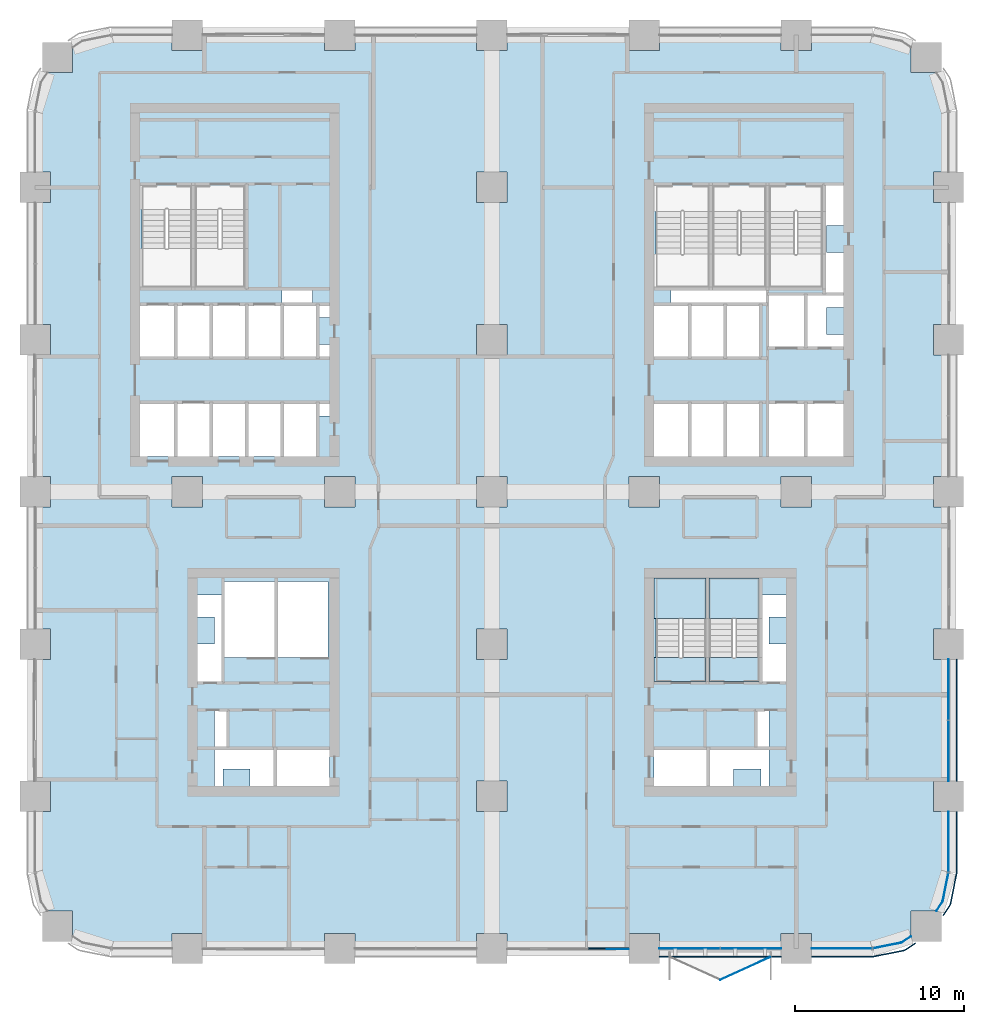
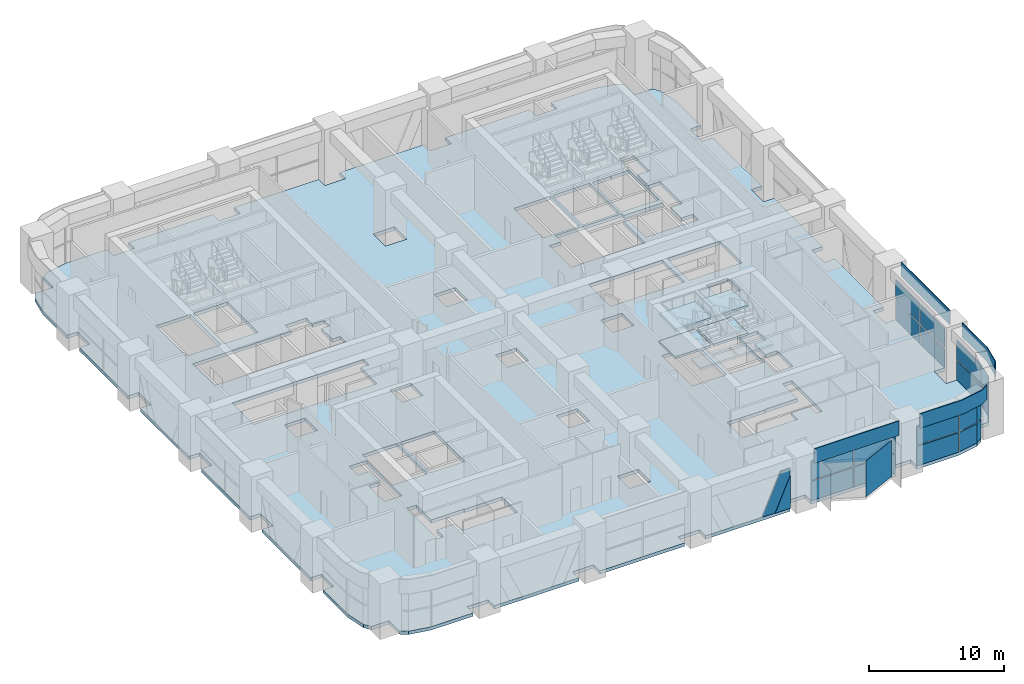
# One storey, part 12 of 26: 23 plates, 7 slabs, 7 elements without a shape of their own.
"""IFC4 building model written with IfcOpenShell, lengths in metres."""

from ifc_helpers import new_model, si_unit, direction, frame, origin, origin_2d, place, context, subcontext, project, spatial, polyline, rectangle, outline, extrude, material, layer, layer_set, type_object, element, aggregate, save


model = new_model("IFC4")

# Units and contexts
model_context = context("Model", 3, precision=1e-05, world=origin(), true_north=direction((0.0, 1.0)))
body_context = subcontext(model_context, "Body", "Model", "MODEL_VIEW")
ifc_project = project(units=[si_unit("LENGTHUNIT", "METRE"), si_unit("AREAUNIT", "SQUARE_METRE"), si_unit("VOLUMEUNIT", "CUBIC_METRE"), si_unit("PLANEANGLEUNIT", "RADIAN"), si_unit("MASSUNIT", "GRAM", prefix="KILO")], contexts=[model_context])

# Site, building, storey
site_placement = place(None, origin())
site = spatial("IfcSite", under=ifc_project, at=site_placement, CompositionType="ELEMENT")
building_placement = place(site_placement, origin())
building = spatial("IfcBuilding", under=site, at=building_placement, Name="Tessera Arch", CompositionType="ELEMENT")
storey_placement = place(building_placement, frame((0.0, 0.0, 72.800048828125)))
storey = spatial("IfcBuildingStorey", under=building, at=storey_placement, Name="L16", CompositionType="ELEMENT", Elevation=72.800048828125)

# Curtain wall, plates
ifc_material_1 = material(Name="CW1 curtain wall")
curtain_wall_type_1 = type_object("IfcCurtainWallType", Name="CW1 curtain wall", PredefinedType="NOTDEFINED", material=ifc_material_1)
curtain_wall_1_placement = place(storey_placement, origin())
curtain_wall_1 = element("IfcCurtainWall", 1, at=curtain_wall_1_placement, inside=storey, type_object=curtain_wall_type_1, Name="CW1 curtain wall S0.0/3 L16", PredefinedType="NOTDEFINED")
ifc_material_2 = material(Name="Clear low-e glass", Category="glass")
ifc_material_3 = material(Name="Clear low-e glass", Category="glass")
ifc_layer_1 = layer(ifc_material_3, 0.028076171875)
ifc_layer_set_1 = layer_set([ifc_layer_1], Name="CW1 glass panel")
plate_type_1 = type_object("IfcPlateType", Name="CW1 glass panel", PredefinedType="CURTAIN_PANEL", material=ifc_layer_set_1)
plate_1_placement = place(storey_placement, frame((38.68505859375, 0.0, 0.0), z_axis=(0.0, 0.0, 1.0), x_axis=(1.0, 0.0, 0.0)))
plate_1 = element("IfcPlate", 2, at=plate_1_placement, type_object=plate_type_1, material=ifc_material_2, Name="CW1 glass panel S0.0/3 1.1.1", PredefinedType="CURTAIN_PANEL", context=body_context, shape_type="SweptSolid", body=[
    extrude(rectangle(XDim=3.570068359375, YDim=0.028076171875, at=origin_2d()), origin(), (0.0, 0.0, 1.0), 1.75),
])
plate_2_placement = place(storey_placement, frame((38.68505859375, 0.0, 1.849853515625), z_axis=(0.0, 0.0, 1.0), x_axis=(1.0, 0.0, 0.0)))
plate_2 = element("IfcPlate", 3, at=plate_2_placement, type_object=plate_type_1, material=ifc_material_2, Name="CW1 glass panel S0.0/3 1.1.2", PredefinedType="CURTAIN_PANEL", context=body_context, shape_type="SweptSolid", body=[
    extrude(rectangle(XDim=3.570068359375, YDim=0.028076171875, at=origin_2d()), origin(), (0.0, 0.0, 1.0), 1.75),
])
plate_3_placement = place(storey_placement, frame((42.31494140625, 0.0, 0.0), z_axis=(0.0, 0.0, 1.0), x_axis=(1.0, 0.0, 0.0)))
plate_3 = element("IfcPlate", 4, at=plate_3_placement, type_object=plate_type_1, material=ifc_material_2, Name="CW1 glass panel S0.0/3 1.2.1", PredefinedType="CURTAIN_PANEL", context=body_context, shape_type="SweptSolid", body=[
    extrude(rectangle(XDim=3.570068359375, YDim=0.028076171875, at=origin_2d()), origin(), (0.0, 0.0, 1.0), 1.75),
])
plate_4_placement = place(storey_placement, frame((42.31494140625, 0.0, 1.849853515625), z_axis=(0.0, 0.0, 1.0), x_axis=(1.0, 0.0, 0.0)))
plate_4 = element("IfcPlate", 5, at=plate_4_placement, type_object=plate_type_1, material=ifc_material_2, Name="CW1 glass panel S0.0/3 1.2.2", PredefinedType="CURTAIN_PANEL", context=body_context, shape_type="SweptSolid", body=[
    extrude(rectangle(XDim=3.570068359375, YDim=0.028076171875, at=origin_2d()), origin(), (0.0, 0.0, 1.0), 1.75),
])

curtain_wall_2_placement = place(storey_placement, origin())
curtain_wall_2 = element("IfcCurtainWall", 6, at=curtain_wall_2_placement, inside=storey, type_object=curtain_wall_type_1, Name="CW1 curtain wall E54.0/1 L16", PredefinedType="NOTDEFINED")
plate_5_placement = place(storey_placement, frame((54.0, 11.68505859375, 0.0), z_axis=(0.0, 0.0, 1.0), x_axis=(0.0, 1.0, 0.0)))
plate_5 = element("IfcPlate", 7, at=plate_5_placement, type_object=plate_type_1, material=ifc_material_2, Name="CW1 glass panel E54.0/1 1.1.1", PredefinedType="CURTAIN_PANEL", context=body_context, shape_type="SweptSolid", body=[
    extrude(rectangle(XDim=3.570068359375, YDim=0.028076171875, at=origin_2d()), origin(), (0.0, 0.0, 1.0), 1.75),
])
plate_6_placement = place(storey_placement, frame((54.0, 11.68505859375, 1.849853515625), z_axis=(0.0, 0.0, 1.0), x_axis=(0.0, 1.0, 0.0)))
plate_6 = element("IfcPlate", 8, at=plate_6_placement, type_object=plate_type_1, material=ifc_material_2, Name="CW1 glass panel E54.0/1 1.1.2", PredefinedType="CURTAIN_PANEL", context=body_context, shape_type="SweptSolid", body=[
    extrude(rectangle(XDim=3.570068359375, YDim=0.028076171875, at=origin_2d()), origin(), (0.0, 0.0, 1.0), 1.75),
])
plate_7_placement = place(storey_placement, frame((54.0, 15.31494140625, 0.0), z_axis=(0.0, 0.0, 1.0), x_axis=(0.0, 1.0, 0.0)))
plate_7 = element("IfcPlate", 9, at=plate_7_placement, type_object=plate_type_1, material=ifc_material_2, Name="CW1 glass panel E54.0/1 1.2.1", PredefinedType="CURTAIN_PANEL", context=body_context, shape_type="SweptSolid", body=[
    extrude(rectangle(XDim=3.570068359375, YDim=0.028076171875, at=origin_2d()), origin(), (0.0, 0.0, 1.0), 1.75),
])
plate_8_placement = place(storey_placement, frame((54.0, 15.31494140625, 1.849853515625), z_axis=(0.0, 0.0, 1.0), x_axis=(0.0, 1.0, 0.0)))
plate_8 = element("IfcPlate", 10, at=plate_8_placement, type_object=plate_type_1, material=ifc_material_2, Name="CW1 glass panel E54.0/1 1.2.2", PredefinedType="CURTAIN_PANEL", context=body_context, shape_type="SweptSolid", body=[
    extrude(rectangle(XDim=3.570068359375, YDim=0.028076171875, at=origin_2d()), origin(), (0.0, 0.0, 1.0), 1.75),
])

# Plate
ifc_material_4 = material(Name="Pale anodised aluminium panel", Category="aluminium")
ifc_layer_2 = layer(ifc_material_4, 0.06005859375)
ifc_layer_set_2 = layer_set([ifc_layer_2], Name="CW1 spandrel panel")
plate_type_2 = type_object("IfcPlateType", Name="CW1 spandrel panel", PredefinedType="CURTAIN_PANEL", material=ifc_layer_set_2)
plate_9_placement = place(storey_placement, frame((40.5, -0.47998046875, 3.69970703125), z_axis=(0.0, 0.0, 1.0), x_axis=(1.0, 0.0, 0.0)))
plate_9 = element("IfcPlate", 11, at=plate_9_placement, type_object=plate_type_2, Name="CW1 spandrel panel S0.0/3", PredefinedType="CURTAIN_PANEL", context=body_context, shape_type="SweptSolid", body=[
    extrude(rectangle(XDim=7.199951171875, YDim=0.06005859375, at=origin_2d()), origin(), (0.0, 0.0, 1.0), 1.300048828125),
])

aggregate(curtain_wall_1, [plate_1, plate_2, plate_3, plate_4, plate_9])

plate_10_placement = place(storey_placement, frame((54.47998046875, 13.5, 3.69970703125), z_axis=(0.0, 0.0, 1.0), x_axis=(0.0, 1.0, 0.0)))
plate_10 = element("IfcPlate", 12, at=plate_10_placement, type_object=plate_type_2, Name="CW1 spandrel panel E54.0/1", PredefinedType="CURTAIN_PANEL", context=body_context, shape_type="SweptSolid", body=[
    extrude(rectangle(XDim=7.199951171875, YDim=0.06005859375, at=origin_2d()), origin(), (0.0, 0.0, 1.0), 1.300048828125),
])

aggregate(curtain_wall_2, [plate_5, plate_6, plate_7, plate_8, plate_10])

# Curtain wall, plates
ifc_material_5 = material(Name="CW2 curtain wall")
curtain_wall_type_2 = type_object("IfcCurtainWallType", Name="CW2 curtain wall", PredefinedType="NOTDEFINED", material=ifc_material_5)
curtain_wall_3_placement = place(storey_placement, origin())
curtain_wall_3 = element("IfcCurtainWall", 13, at=curtain_wall_3_placement, inside=storey, type_object=curtain_wall_type_2, Name="CW2 curtain wall S0.0/4 L16", PredefinedType="NOTDEFINED")
ifc_material_6 = material(Name="Clear low-e glass", Category="glass")
ifc_layer_3 = layer(ifc_material_6, 0.028076171875)
ifc_layer_set_3 = layer_set([ifc_layer_3], Name="CW2 glass panel")
plate_type_3 = type_object("IfcPlateType", Name="CW2 glass panel", PredefinedType="CURTAIN_PANEL", material=ifc_layer_set_3)
plate_11_placement = place(storey_placement, frame((47.679931640625, 0.0, 0.0), z_axis=(0.0, 0.0, 1.0), x_axis=(1.0, 0.0, 0.0)))
plate_11 = element("IfcPlate", 14, at=plate_11_placement, type_object=plate_type_3, material=ifc_material_2, Name="CW2 glass panel S0.0/4 1.1", PredefinedType="CURTAIN_PANEL", context=body_context, shape_type="SweptSolid", body=[
    extrude(rectangle(XDim=3.56005859375, YDim=0.028076171875, at=origin_2d()), origin(), (0.0, 0.0, 1.0), 1.75),
])
plate_12_placement = place(storey_placement, origin())
plate_12 = element("IfcPlate", 15, at=plate_12_placement, type_object=plate_type_3, material=ifc_material_2, Name="CW2 curved glass panel S0.0/4 2.1", PredefinedType="CURTAIN_PANEL", context=body_context, shape_type="SweptSolid", body=[
    extrude(outline(polyline([(51.216552734375, 0.355712890625), (49.53662109375, 0.021484375), (49.5419921875, -0.005859375), (51.2275390625, 0.329345703125), (51.789794921875, 0.705078125), (51.774169921875, 0.728271484375), (51.216552734375, 0.355712890625)])), origin(), (0.0, 0.0, 1.0), 1.75),
])
plate_13_placement = place(storey_placement, frame((47.679931640625, 0.0, 1.849853515625), z_axis=(0.0, 0.0, 1.0), x_axis=(1.0, 0.0, 0.0)))
plate_13 = element("IfcPlate", 16, at=plate_13_placement, type_object=plate_type_3, material=ifc_material_2, Name="CW2 glass panel S0.0/4 1.2", PredefinedType="CURTAIN_PANEL", context=body_context, shape_type="SweptSolid", body=[
    extrude(rectangle(XDim=3.56005859375, YDim=0.028076171875, at=origin_2d()), origin(), (0.0, 0.0, 1.0), 1.75),
])
plate_14_placement = place(storey_placement, frame((0.0, 0.0, 1.849853515625)))
plate_14 = element("IfcPlate", 17, at=plate_14_placement, type_object=plate_type_3, material=ifc_material_2, Name="CW2 curved glass panel S0.0/4 2.2", PredefinedType="CURTAIN_PANEL", context=body_context, shape_type="SweptSolid", body=[
    extrude(outline(polyline([(51.216552734375, 0.355712890625), (49.53662109375, 0.021484375), (49.5419921875, -0.005859375), (51.2275390625, 0.329345703125), (51.789794921875, 0.705078125), (51.774169921875, 0.728271484375), (51.216552734375, 0.355712890625)])), origin(), (0.0, 0.0, 1.0), 1.75),
])

curtain_wall_4_placement = place(storey_placement, origin())
curtain_wall_4 = element("IfcCurtainWall", 18, at=curtain_wall_4_placement, inside=storey, type_object=curtain_wall_type_2, Name="CW2 curtain wall E54.0/0 L16", PredefinedType="NOTDEFINED")
plate_15_placement = place(storey_placement, frame((54.0, 6.320068359375, 0.0), z_axis=(0.0, 0.0, 1.0), x_axis=(0.0, 1.0, 0.0)))
plate_15 = element("IfcPlate", 19, at=plate_15_placement, type_object=plate_type_3, material=ifc_material_2, Name="CW2 glass panel E54.0/0 1.1", PredefinedType="CURTAIN_PANEL", context=body_context, shape_type="SweptSolid", body=[
    extrude(rectangle(XDim=3.56005859375, YDim=0.028076171875, at=origin_2d()), origin(), (0.0, 0.0, 1.0), 1.75),
])
plate_16_placement = place(storey_placement, origin())
plate_16 = element("IfcPlate", 20, at=plate_16_placement, type_object=plate_type_3, material=ifc_material_2, Name="CW2 curved glass panel E54.0/0 2.1", PredefinedType="CURTAIN_PANEL", context=body_context, shape_type="SweptSolid", body=[
    extrude(outline(polyline([(53.644287109375, 2.783447265625), (53.271728515625, 2.225830078125), (53.294921875, 2.210205078125), (53.670654296875, 2.7724609375), (54.005859375, 4.4580078125), (53.978515625, 4.46337890625), (53.644287109375, 2.783447265625)])), origin(), (0.0, 0.0, 1.0), 1.75),
])
plate_17_placement = place(storey_placement, frame((54.0, 6.320068359375, 1.849853515625), z_axis=(0.0, 0.0, 1.0), x_axis=(0.0, 1.0, 0.0)))
plate_17 = element("IfcPlate", 21, at=plate_17_placement, type_object=plate_type_3, material=ifc_material_2, Name="CW2 glass panel E54.0/0 1.2", PredefinedType="CURTAIN_PANEL", context=body_context, shape_type="SweptSolid", body=[
    extrude(rectangle(XDim=3.56005859375, YDim=0.028076171875, at=origin_2d()), origin(), (0.0, 0.0, 1.0), 1.75),
])
plate_18_placement = place(storey_placement, frame((0.0, 0.0, 1.849853515625)))
plate_18 = element("IfcPlate", 22, at=plate_18_placement, type_object=plate_type_3, material=ifc_material_2, Name="CW2 curved glass panel E54.0/0 2.2", PredefinedType="CURTAIN_PANEL", context=body_context, shape_type="SweptSolid", body=[
    extrude(outline(polyline([(53.644287109375, 2.783447265625), (53.271728515625, 2.225830078125), (53.294921875, 2.210205078125), (53.670654296875, 2.7724609375), (54.005859375, 4.4580078125), (53.978515625, 4.46337890625), (53.644287109375, 2.783447265625)])), origin(), (0.0, 0.0, 1.0), 1.75),
])

# Plate
ifc_material_7 = material(Name="Pale anodised aluminium panel", Category="aluminium")
ifc_layer_4 = layer(ifc_material_7, 0.06005859375)
ifc_layer_set_4 = layer_set([ifc_layer_4], Name="CW2 spandrel panel")
plate_type_4 = type_object("IfcPlateType", Name="CW2 spandrel panel", PredefinedType="CURTAIN_PANEL", material=ifc_layer_set_4)
plate_19_placement = place(storey_placement, frame((0.0, 0.0, 3.699951171875)))
plate_19 = element("IfcPlate", 23, at=plate_19_placement, type_object=plate_type_4, Name="CW2 spandrel panel S0.0/4", PredefinedType="CURTAIN_PANEL", context=body_context, shape_type="SweptSolid", body=[
    extrude(outline(polyline([(49.499267578125, -0.449951171875), (45.89990234375, -0.449951171875), (45.89990234375, -0.510009765625), (49.500732421875, -0.510009765625), (49.550048828125, -0.507568359375), (49.598876953125, -0.500244140625), (51.322265625, -0.157470703125), (51.3701171875, -0.1455078125), (51.417236328125, -0.128662109375), (51.462646484375, -0.107177734375), (51.5048828125, -0.08203125), (52.0654296875, 0.292724609375), (52.031982421875, 0.342529296875), (51.47265625, -0.03125), (51.434326171875, -0.05419921875), (51.394287109375, -0.0732421875), (51.352783203125, -0.088134765625), (51.30908203125, -0.09912109375), (49.588623046875, -0.441162109375), (49.544189453125, -0.44775390625), (49.499267578125, -0.449951171875)])), origin(), (0.0, 0.0, 1.0), 1.300048828125),
])

aggregate(curtain_wall_3, [plate_11, plate_12, plate_13, plate_14, plate_19])

plate_20_placement = place(storey_placement, frame((0.0, 0.0, 3.699951171875)))
plate_20 = element("IfcPlate", 24, at=plate_20_placement, type_object=plate_type_4, Name="CW2 spandrel panel E54.0/0", PredefinedType="CURTAIN_PANEL", context=body_context, shape_type="SweptSolid", body=[
    extrude(outline(polyline([(54.03125, 2.52734375), (53.657470703125, 1.968017578125), (53.707275390625, 1.9345703125), (54.08203125, 2.4951171875), (54.107177734375, 2.537353515625), (54.128662109375, 2.582763671875), (54.1455078125, 2.6298828125), (54.157470703125, 2.677734375), (54.500244140625, 4.401123046875), (54.507568359375, 4.449951171875), (54.510009765625, 4.499267578125), (54.510009765625, 8.10009765625), (54.449951171875, 8.10009765625), (54.449951171875, 4.500732421875), (54.44775390625, 4.455810546875), (54.441162109375, 4.411376953125), (54.09912109375, 2.69091796875), (54.088134765625, 2.647216796875), (54.0732421875, 2.605712890625), (54.05419921875, 2.565673828125), (54.03125, 2.52734375)])), origin(), (0.0, 0.0, 1.0), 1.300048828125),
])

aggregate(curtain_wall_4, [plate_15, plate_16, plate_17, plate_18, plate_20])

# Curtain wall, plates
ifc_material_8 = material(Name="CW3 curtain wall")
curtain_wall_type_3 = type_object("IfcCurtainWallType", Name="CW3 curtain wall", PredefinedType="NOTDEFINED", material=ifc_material_8)
curtain_wall_5_placement = place(storey_placement, origin())
curtain_wall_5 = element("IfcCurtainWall", 25, at=curtain_wall_5_placement, inside=storey, type_object=curtain_wall_type_3, Name="CW3 curtain wall S0.0/2 L16", PredefinedType="NOTDEFINED")
ifc_material_9 = material(Name="Pale anodised aluminium panel", Category="aluminium")
ifc_layer_5 = layer(ifc_material_9, 0.06005859375)
ifc_layer_set_5 = layer_set([ifc_layer_5], Name="CW3 diagonal panel")
plate_type_5 = type_object("IfcPlateType", Name="CW3 diagonal panel", PredefinedType="CURTAIN_PANEL", material=ifc_layer_set_5)
plate_21_placement = place(storey_placement, frame((35.10009765625, -0.030029296875, 3.599853515625), z_axis=(0.0, -1.0, 0.0), x_axis=(-1.0, 0.0, 0.0)))
plate_21 = element("IfcPlate", 26, at=plate_21_placement, type_object=plate_type_5, Name="CW3 diagonal panel S0.0/2 1", PredefinedType="CURTAIN_PANEL", context=body_context, shape_type="SweptSolid", body=[
    extrude(outline(polyline([(0.0, 0.0), (0.806396484375, 0.0), (2.38671875, 3.599853515625), (1.30126953125, 3.599853515625), (0.0, 0.63623046875), (0.0, 0.0)])), origin(), (0.0, 0.0, -1.0), 0.06005859375),
])
ifc_material_10 = material(Name="Clear low-e glass", Category="glass")
ifc_layer_6 = layer(ifc_material_10, 0.028076171875)
ifc_layer_set_6 = layer_set([ifc_layer_6], Name="CW3 glass panel")
plate_type_6 = type_object("IfcPlateType", Name="CW3 glass panel", PredefinedType="CURTAIN_PANEL", material=ifc_layer_set_6)
plate_22_placement = place(storey_placement, frame((35.10009765625, -0.05810546875, 0.0), z_axis=(0.0, -1.0, 0.0), x_axis=(0.0, 0.0, 1.0)))
plate_22 = element("IfcPlate", 27, at=plate_22_placement, type_object=plate_type_6, material=ifc_material_2, Name="CW3 triangulated glass panel S0.0/2 3", PredefinedType="CURTAIN_PANEL", context=body_context, shape_type="SweptSolid", body=[
    extrude(outline(polyline([(0.0, 0.0), (2.963623046875, 0.0), (0.0, 1.30126953125), (0.0, 0.0)])), origin(), (0.0, 0.0, -1.0), 0.028076171875),
])
aggregate(curtain_wall_5, [plate_22, plate_21])

# Slab
ifc_material_11 = material(Name="Concrete C40/50", Category="concrete")
ifc_layer_7 = layer(ifc_material_11, 0.300048828125)
ifc_layer_set_7 = layer_set([ifc_layer_7], Name="Floor slab 300 Concrete C40/50")
slab_type_1 = type_object("IfcSlabType", Name="Floor slab 300 Concrete C40/50", PredefinedType="FLOOR", material=ifc_layer_set_7)
slab_1_placement = place(storey_placement, frame((0.0, 0.0, -0.300048828125)))
element("IfcSlab", 28, at=slab_1_placement, inside=storey, type_object=slab_type_1, Name="Floor slab L16 1", PredefinedType="FLOOR", context=body_context, shape_type="SweptSolid", body=[
    extrude(outline(polyline([(4.5, 0.0), (2.77783203125, 0.342529296875), (2.218017578125, 0.716552734375), (2.218017578125, 2.218017578125), (0.716552734375, 2.218017578125), (0.342529296875, 2.77783203125), (0.0, 4.5), (0.0, 8.10009765625), (0.89990234375, 8.10009765625), (0.89990234375, 9.89990234375), (0.0, 9.89990234375), (0.0, 17.10009765625), (0.89990234375, 17.10009765625), (0.89990234375, 18.89990234375), (0.0, 18.89990234375), (0.0, 26.10009765625), (0.89990234375, 26.10009765625), (0.89990234375, 27.89990234375), (0.0, 27.89990234375), (0.0, 35.10009765625), (0.89990234375, 35.10009765625), (0.89990234375, 36.89990234375), (0.0, 36.89990234375), (0.0, 44.10009765625), (0.89990234375, 44.10009765625), (0.89990234375, 45.89990234375), (0.0, 45.89990234375), (0.0, 49.5), (0.342529296875, 51.22216796875), (0.716552734375, 51.781982421875), (2.218017578125, 51.781982421875), (2.218017578125, 53.283447265625), (2.77783203125, 53.657470703125), (4.5, 54.0), (8.10009765625, 54.0), (8.10009765625, 53.10009765625), (9.89990234375, 53.10009765625), (9.89990234375, 54.0), (17.10009765625, 54.0), (17.10009765625, 53.10009765625), (18.89990234375, 53.10009765625), (18.89990234375, 54.0), (26.10009765625, 54.0), (26.10009765625, 53.10009765625), (27.89990234375, 53.10009765625), (27.89990234375, 54.0), (35.10009765625, 54.0), (35.10009765625, 53.10009765625), (36.89990234375, 53.10009765625), (36.89990234375, 54.0), (44.10009765625, 54.0), (44.10009765625, 53.10009765625), (45.89990234375, 53.10009765625), (45.89990234375, 54.0), (49.5, 54.0), (51.22216796875, 53.657470703125), (51.781982421875, 53.283447265625), (51.781982421875, 51.781982421875), (53.283447265625, 51.781982421875), (53.657470703125, 51.22216796875), (54.0, 49.5), (54.0, 45.89990234375), (53.10009765625, 45.89990234375), (53.10009765625, 44.10009765625), (54.0, 44.10009765625), (54.0, 36.89990234375), (53.10009765625, 36.89990234375), (53.10009765625, 35.10009765625), (54.0, 35.10009765625), (54.0, 27.89990234375), (53.10009765625, 27.89990234375), (53.10009765625, 26.10009765625), (54.0, 26.10009765625), (54.0, 18.89990234375), (53.10009765625, 18.89990234375), (53.10009765625, 17.10009765625), (54.0, 17.10009765625), (54.0, 9.89990234375), (53.10009765625, 9.89990234375), (53.10009765625, 8.10009765625), (54.0, 8.10009765625), (54.0, 4.5), (53.657470703125, 2.77783203125), (53.283447265625, 2.218017578125), (51.781982421875, 2.218017578125), (51.781982421875, 0.716552734375), (51.22216796875, 0.342529296875), (49.5, 0.0), (45.89990234375, 0.0), (45.89990234375, 0.89990234375), (44.10009765625, 0.89990234375), (44.10009765625, 0.0), (36.89990234375, 0.0), (36.89990234375, 0.89990234375), (35.10009765625, 0.89990234375), (35.10009765625, 0.0), (27.89990234375, 0.0), (27.89990234375, 0.89990234375), (26.10009765625, 0.89990234375), (26.10009765625, 0.0), (18.89990234375, 0.0), (18.89990234375, 0.89990234375), (17.10009765625, 0.89990234375), (17.10009765625, 0.0), (9.89990234375, 0.0), (9.89990234375, 0.89990234375), (8.10009765625, 0.89990234375), (8.10009765625, 0.0), (4.5, 0.0)]), holes=[polyline([(11.10009765625, 9.60009765625), (11.10009765625, 10.60009765625), (12.699951171875, 10.60009765625), (12.699951171875, 9.60009765625), (14.199951171875, 9.60009765625), (17.39990234375, 9.60009765625), (17.39990234375, 11.85009765625), (14.199951171875, 11.85009765625), (14.199951171875, 11.89990234375), (11.39990234375, 11.89990234375), (11.39990234375, 14.10009765625), (10.60009765625, 14.10009765625), (10.60009765625, 11.89990234375), (10.60009765625, 9.60009765625), (11.10009765625, 9.60009765625)]), polyline([(9.60009765625, 19.60009765625), (10.60009765625, 19.60009765625), (10.60009765625, 18.0), (9.60009765625, 18.0), (9.60009765625, 15.699951171875), (11.10009765625, 15.699951171875), (11.10009765625, 20.89990234375), (9.60009765625, 20.89990234375), (9.60009765625, 19.60009765625)]), polyline([(11.199951171875, 21.699951171875), (11.199951171875, 17.2099609375), (12.60009765625, 17.2099609375), (12.60009765625, 17.199951171875), (14.14990234375, 17.199951171875), (14.14990234375, 21.699951171875), (11.199951171875, 21.699951171875)]), polyline([(8.10009765625, 26.10009765625), (9.89990234375, 26.10009765625), (9.89990234375, 27.89990234375), (8.10009765625, 27.89990234375), (8.10009765625, 26.10009765625)]), polyline([(12.5, 29.10009765625), (14.60009765625, 29.10009765625), (16.699951171875, 29.10009765625), (16.699951171875, 31.5), (17.39990234375, 31.5), (17.39990234375, 32.300048828125), (16.699951171875, 32.300048828125), (14.60009765625, 32.300048828125), (12.5, 32.300048828125), (10.39990234375, 32.300048828125), (8.300048828125, 32.300048828125), (6.199951171875, 32.300048828125), (6.199951171875, 29.10009765625), (8.300048828125, 29.10009765625), (10.39990234375, 29.10009765625), (12.5, 29.10009765625)]), polyline([(10.39990234375, 38.10009765625), (8.300048828125, 38.10009765625), (6.199951171875, 38.10009765625), (6.199951171875, 34.89990234375), (8.300048828125, 34.89990234375), (10.39990234375, 34.89990234375), (12.5, 34.89990234375), (14.60009765625, 34.89990234375), (16.699951171875, 34.89990234375), (17.39990234375, 34.89990234375), (17.39990234375, 35.699951171875), (16.699951171875, 35.699951171875), (16.699951171875, 37.300048828125), (17.39990234375, 37.300048828125), (17.39990234375, 38.10009765625), (16.699951171875, 38.10009765625), (16.39990234375, 38.10009765625), (16.39990234375, 39.0), (14.60009765625, 39.0), (14.60009765625, 38.10009765625), (12.5, 38.10009765625), (10.39990234375, 38.10009765625)]), polyline([(11.0, 43.699951171875), (10.85009765625, 43.699951171875), (10.85009765625, 43.68994140625), (9.449951171875, 43.68994140625), (9.449951171875, 39.199951171875), (12.39990234375, 39.199951171875), (12.39990234375, 43.68994140625), (11.0, 43.68994140625), (11.0, 43.699951171875)]), polyline([(7.85009765625, 43.699951171875), (7.699951171875, 43.699951171875), (7.699951171875, 43.68994140625), (6.300048828125, 43.68994140625), (6.300048828125, 39.199951171875), (9.25, 39.199951171875), (9.25, 43.68994140625), (7.85009765625, 43.68994140625), (7.85009765625, 43.699951171875)]), polyline([(26.10009765625, 8.10009765625), (27.89990234375, 8.10009765625), (27.89990234375, 9.89990234375), (26.10009765625, 9.89990234375), (26.10009765625, 8.10009765625)]), polyline([(39.800048828125, 9.60009765625), (41.300048828125, 9.60009765625), (41.300048828125, 10.60009765625), (42.89990234375, 10.60009765625), (42.89990234375, 9.60009765625), (43.39990234375, 9.60009765625), (43.39990234375, 11.89990234375), (43.39990234375, 14.10009765625), (42.60009765625, 14.10009765625), (42.60009765625, 11.89990234375), (39.800048828125, 11.89990234375), (39.800048828125, 11.85009765625), (36.60009765625, 11.85009765625), (36.60009765625, 9.60009765625), (39.800048828125, 9.60009765625)]), polyline([(26.10009765625, 18.89990234375), (26.10009765625, 17.10009765625), (27.89990234375, 17.10009765625), (27.89990234375, 18.89990234375), (26.10009765625, 18.89990234375)]), polyline([(14.35009765625, 17.2099609375), (15.75, 17.2099609375), (15.75, 17.199951171875), (17.300048828125, 17.199951171875), (17.300048828125, 21.699951171875), (14.35009765625, 21.699951171875), (14.35009765625, 17.2099609375)]), polyline([(38.10009765625, 17.199951171875), (38.25, 17.199951171875), (38.25, 17.2099609375), (39.64990234375, 17.2099609375), (39.64990234375, 21.699951171875), (36.699951171875, 21.699951171875), (36.699951171875, 17.2099609375), (38.10009765625, 17.2099609375), (38.10009765625, 17.199951171875)]), polyline([(17.10009765625, 26.10009765625), (18.89990234375, 26.10009765625), (18.89990234375, 27.89990234375), (17.10009765625, 27.89990234375), (17.10009765625, 26.10009765625)]), polyline([(26.10009765625, 27.89990234375), (26.10009765625, 26.10009765625), (27.89990234375, 26.10009765625), (27.89990234375, 27.89990234375), (26.10009765625, 27.89990234375)]), polyline([(35.10009765625, 27.89990234375), (35.10009765625, 26.10009765625), (36.89990234375, 26.10009765625), (36.89990234375, 27.89990234375), (35.10009765625, 27.89990234375)]), polyline([(36.60009765625, 32.300048828125), (36.60009765625, 29.10009765625), (38.699951171875, 29.10009765625), (40.800048828125, 29.10009765625), (42.89990234375, 29.10009765625), (42.89990234375, 32.300048828125), (40.800048828125, 32.300048828125), (38.699951171875, 32.300048828125), (36.60009765625, 32.300048828125)]), polyline([(26.10009765625, 35.10009765625), (27.89990234375, 35.10009765625), (27.89990234375, 36.89990234375), (26.10009765625, 36.89990234375), (26.10009765625, 35.10009765625)]), polyline([(38.699951171875, 34.89990234375), (40.800048828125, 34.89990234375), (42.89990234375, 34.89990234375), (42.89990234375, 38.10009765625), (43.300048828125, 38.10009765625), (43.300048828125, 35.5), (45.550048828125, 35.5), (47.800048828125, 35.5), (47.800048828125, 36.300048828125), (46.800048828125, 36.300048828125), (46.800048828125, 37.89990234375), (47.800048828125, 37.89990234375), (47.800048828125, 38.699951171875), (47.800048828125, 41.14990234375), (46.800048828125, 41.14990234375), (46.800048828125, 42.75), (47.800048828125, 42.75), (47.800048828125, 45.199951171875), (46.64990234375, 45.199951171875), (46.64990234375, 38.699951171875), (45.550048828125, 38.699951171875), (43.300048828125, 38.699951171875), (43.300048828125, 39.0), (37.60009765625, 39.0), (37.60009765625, 38.10009765625), (36.60009765625, 38.10009765625), (36.60009765625, 34.89990234375), (38.699951171875, 34.89990234375)]), polyline([(38.330078125, 43.580078125), (38.219970703125, 43.580078125), (38.219970703125, 43.570068359375), (36.699951171875, 43.570068359375), (36.699951171875, 39.199951171875), (39.85009765625, 39.199951171875), (39.85009765625, 43.570068359375), (38.330078125, 43.570068359375), (38.330078125, 43.580078125)]), polyline([(26.10009765625, 44.10009765625), (27.89990234375, 44.10009765625), (27.89990234375, 45.89990234375), (26.10009765625, 45.89990234375), (26.10009765625, 44.10009765625)]), polyline([(42.89990234375, 15.699951171875), (44.39990234375, 15.699951171875), (44.39990234375, 18.0), (43.39990234375, 18.0), (43.39990234375, 19.60009765625), (44.39990234375, 19.60009765625), (44.39990234375, 20.89990234375), (42.89990234375, 20.89990234375), (42.89990234375, 15.699951171875)]), polyline([(41.25, 17.199951171875), (41.39990234375, 17.199951171875), (41.39990234375, 17.2099609375), (42.800048828125, 17.2099609375), (42.800048828125, 21.699951171875), (39.85009765625, 21.699951171875), (39.85009765625, 17.2099609375), (41.25, 17.2099609375), (41.25, 17.199951171875)]), polyline([(44.10009765625, 26.10009765625), (45.89990234375, 26.10009765625), (45.89990234375, 27.89990234375), (44.10009765625, 27.89990234375), (44.10009765625, 26.10009765625)]), polyline([(45.550048828125, 29.10009765625), (47.800048828125, 29.10009765625), (47.800048828125, 32.300048828125), (45.550048828125, 32.300048828125), (43.300048828125, 32.300048828125), (43.300048828125, 29.10009765625), (45.550048828125, 29.10009765625)]), polyline([(45.030029296875, 43.570068359375), (45.030029296875, 43.580078125), (44.919921875, 43.580078125), (44.919921875, 43.570068359375), (43.39990234375, 43.570068359375), (43.39990234375, 39.199951171875), (46.550048828125, 39.199951171875), (46.550048828125, 43.570068359375), (45.030029296875, 43.570068359375)]), polyline([(41.679931640625, 43.580078125), (41.570068359375, 43.580078125), (41.570068359375, 43.570068359375), (40.050048828125, 43.570068359375), (40.050048828125, 39.199951171875), (43.199951171875, 39.199951171875), (43.199951171875, 43.570068359375), (41.679931640625, 43.570068359375), (41.679931640625, 43.580078125)])]), origin(), (0.0, 0.0, 1.0), 0.300048828125),
])

# Stair, slabs
ifc_material_12 = material(Name="Concrete C40/50", Category="concrete")
stair_type = type_object("IfcStairType", Name="Dogleg stair 1400", PredefinedType="HALF_TURN_STAIR", material=ifc_material_12)
stair_1_placement = place(storey_placement, origin())
stair_1 = element("IfcStair", 29, at=stair_1_placement, inside=storey, type_object=stair_type, Name="L16 S3a", PredefinedType="HALF_TURN_STAIR")
ifc_material_13 = material(Name="Concrete C40/50", Category="concrete")
ifc_layer_8 = layer(ifc_material_13, 0.300048828125)
ifc_layer_set_8 = layer_set([ifc_layer_8], Name="Stair landing 300")
slab_type_2 = type_object("IfcSlabType", Name="Stair landing 300", PredefinedType="LANDING", material=ifc_layer_set_8)
slab_2_placement = place(storey_placement, frame((0.0, 0.0, 1.050048828125)))
slab_2 = element("IfcSlab", 30, at=slab_2_placement, type_object=slab_type_2, Name="S3a landing 1", PredefinedType="LANDING", context=body_context, shape_type="SweptSolid", body=[
    extrude(outline(polyline([(39.64990234375, 19.510009765625), (39.64990234375, 21.89990234375), (36.60009765625, 21.89990234375), (36.60009765625, 19.510009765625), (39.64990234375, 19.510009765625)])), origin(), (0.0, 0.0, 1.0), 0.199951171875),
])
slab_3_placement = place(storey_placement, frame((0.0, 0.0, 2.300048828125)))
slab_3 = element("IfcSlab", 31, at=slab_3_placement, type_object=slab_type_2, Name="S3a landing 2", PredefinedType="LANDING", context=body_context, shape_type="SweptSolid", body=[
    extrude(outline(polyline([(39.64990234375, 15.800048828125), (39.64990234375, 17.199951171875), (36.60009765625, 17.199951171875), (36.60009765625, 15.800048828125), (39.64990234375, 15.800048828125)])), origin(), (0.0, 0.0, 1.0), 0.199951171875),
])
slab_4_placement = place(storey_placement, frame((0.0, 0.0, 3.550048828125)))
slab_4 = element("IfcSlab", 32, at=slab_4_placement, type_object=slab_type_2, Name="S3a landing 3", PredefinedType="LANDING", context=body_context, shape_type="SweptSolid", body=[
    extrude(outline(polyline([(39.64990234375, 19.510009765625), (39.64990234375, 21.89990234375), (36.60009765625, 21.89990234375), (36.60009765625, 19.510009765625), (39.64990234375, 19.510009765625)])), origin(), (0.0, 0.0, 1.0), 0.199951171875),
])
aggregate(stair_1, [slab_2, slab_3, slab_4])

stair_2_placement = place(storey_placement, origin())
stair_2 = element("IfcStair", 33, at=stair_2_placement, inside=storey, type_object=stair_type, Name="L16 S3b", PredefinedType="HALF_TURN_STAIR")
slab_5_placement = place(storey_placement, frame((0.0, 0.0, 1.050048828125)))
slab_5 = element("IfcSlab", 34, at=slab_5_placement, type_object=slab_type_2, Name="S3b landing 1", PredefinedType="LANDING", context=body_context, shape_type="SweptSolid", body=[
    extrude(outline(polyline([(42.800048828125, 19.510009765625), (42.800048828125, 21.89990234375), (39.85009765625, 21.89990234375), (39.85009765625, 19.510009765625), (42.800048828125, 19.510009765625)])), origin(), (0.0, 0.0, 1.0), 0.199951171875),
])
slab_6_placement = place(storey_placement, frame((0.0, 0.0, 2.300048828125)))
slab_6 = element("IfcSlab", 35, at=slab_6_placement, type_object=slab_type_2, Name="S3b landing 2", PredefinedType="LANDING", context=body_context, shape_type="SweptSolid", body=[
    extrude(outline(polyline([(42.800048828125, 15.800048828125), (42.800048828125, 17.199951171875), (39.85009765625, 17.199951171875), (39.85009765625, 15.800048828125), (42.800048828125, 15.800048828125)])), origin(), (0.0, 0.0, 1.0), 0.199951171875),
])
slab_7_placement = place(storey_placement, frame((0.0, 0.0, 3.550048828125)))
slab_7 = element("IfcSlab", 36, at=slab_7_placement, type_object=slab_type_2, Name="S3b landing 3", PredefinedType="LANDING", context=body_context, shape_type="SweptSolid", body=[
    extrude(outline(polyline([(42.800048828125, 19.510009765625), (42.800048828125, 21.89990234375), (39.85009765625, 21.89990234375), (39.85009765625, 19.510009765625), (42.800048828125, 19.510009765625)])), origin(), (0.0, 0.0, 1.0), 0.199951171875),
])
aggregate(stair_2, [slab_5, slab_6, slab_7])

# Plate
ifc_material_14 = material(Name="Clear low-e glass", Category="glass")
ifc_layer_9 = layer(ifc_material_14, 0.028076171875)
ifc_layer_set_9 = layer_set([ifc_layer_9], Name="Window box glass facet")
plate_type_7 = type_object("IfcPlateType", Name="Window box glass facet", PredefinedType="SHEET", material=ifc_layer_set_9)
plate_23_placement = place(storey_placement, frame((41.97509765625, -1.179931640625, 0.2197265625), z_axis=(0.0, 0.0, 1.0), x_axis=(-0.910472144558, -0.413570397858, 0.0)))
element("IfcPlate", 37, at=plate_23_placement, inside=storey, type_object=plate_type_7, Name="Window box S0.0/3.0 2x1 glass", PredefinedType="SHEET", context=body_context, shape_type="SweptSolid", body=[
    extrude(rectangle(XDim=3.239990234375, YDim=0.028076171875, at=origin_2d()), origin(), (0.0, 0.0, 1.0), 3.260009765625),
])

save(model, "model.ifc")
